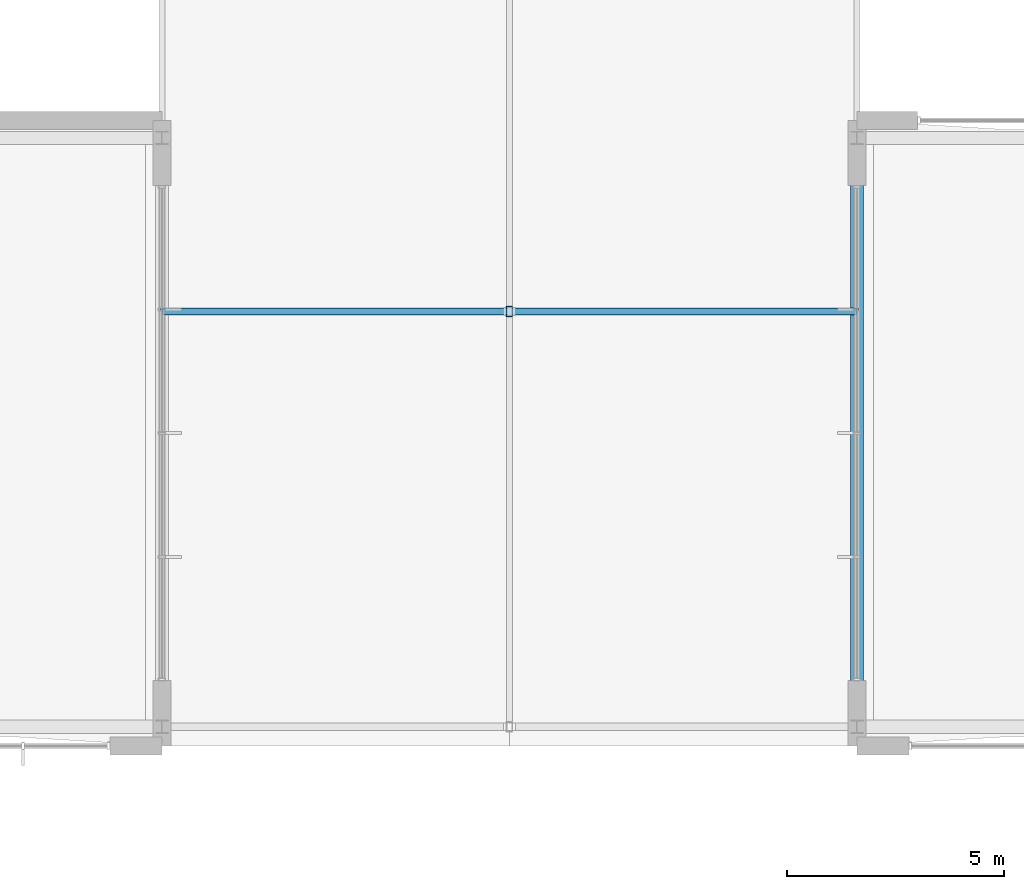
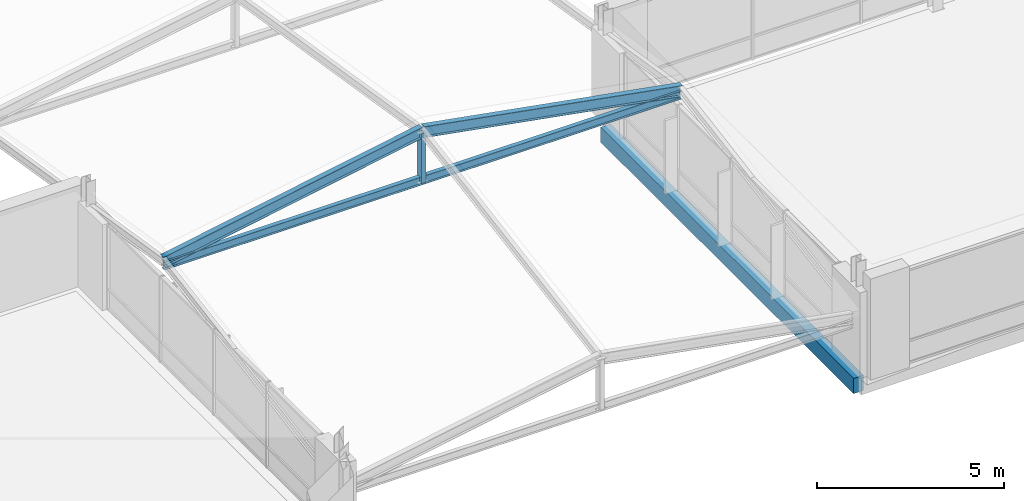
# One storey, part 44 of 189: 3 members, 2 beams.
"""IFC4 building model written with IfcOpenShell, lengths in metres."""

from ifc_helpers import new_model, si_unit, direction, frame, origin, origin_2d, place, context, subcontext, project, spatial, rectangle, hollow_rectangle, i_section, extrude, material, material_profile, profile_set, type_object, element, save


model = new_model("IFC4")

# Units and contexts
model_context = context("Model", 3, precision=1e-05, world=origin(), true_north=direction((0.0, 1.0)))
body_context = subcontext(model_context, "Body", "Model", "MODEL_VIEW")
ifc_project = project(units=[si_unit("LENGTHUNIT", "METRE"), si_unit("AREAUNIT", "SQUARE_METRE"), si_unit("VOLUMEUNIT", "CUBIC_METRE"), si_unit("PLANEANGLEUNIT", "RADIAN"), si_unit("MASSUNIT", "GRAM", prefix="KILO")], contexts=[model_context])

# Site, building, storey
site_placement = place(None, origin())
site = spatial("IfcSite", under=ifc_project, at=site_placement, CompositionType="ELEMENT")
building_placement = place(site_placement, origin())
building = spatial("IfcBuilding", under=site, at=building_placement, Name="Zavelmont Quarter", CompositionType="ELEMENT")
storey_placement = place(building_placement, frame((0.0, 0.0, 4.39990234375)))
storey = spatial("IfcBuildingStorey", under=building, at=storey_placement, Name="L01", CompositionType="ELEMENT", Elevation=4.39990234375)

# Beams
ifc_material_1 = material(Name="Concrete C35/45", Category="concrete")
ifc_material_profile_1 = material_profile(ifc_material_1, rectangle(XDim=0.300048828125, YDim=0.5, at=origin_2d()), Name="RC300X500")
ifc_profile_set_1 = profile_set([ifc_material_profile_1], Name="Concrete C35/45")
beam_type_1 = type_object("IfcBeamType", Name="BM03", PredefinedType="BEAM", material=ifc_profile_set_1)
beam_1_placement = place(storey_placement, frame((92.0, 0.43994140625, -0.52978515625), z_axis=(0.0, 1.0, 0.0), x_axis=(-1.0, 0.0, 0.0)))
element("IfcBeam", 1, at=beam_1_placement, inside=storey, type_object=beam_type_1, Name="L01 beam BM03 14/A to 14/C", PredefinedType="BEAM", context=body_context, shape_type="SweptSolid", body=[
    extrude(rectangle(XDim=0.300048828125, YDim=0.5, at=origin_2d()), origin(), (0.0, 0.0, 1.0), 13.56005859375),
])
ifc_material_2 = material(Name="Steel S355", Category="steel")
ifc_material_profile_2 = material_profile(ifc_material_2, i_section(OverallWidth=0.135009765625, OverallDepth=0.27001953125, WebThickness=0.006591796875, FlangeThickness=0.01025390625, at=origin_2d()), Name="IPE 270")
ifc_profile_set_2 = profile_set([ifc_material_profile_2], Name="Steel S355")
beam_type_2 = type_object("IfcBeamType", Name="BM14", PredefinedType="JOIST", material=ifc_profile_set_2)
beam_2_placement = place(storey_placement, frame((76.0, 10.0, 3.18505859375), z_axis=(1.0, 0.0, 0.0), x_axis=(0.0, 1.0, 0.0)))
element("IfcBeam", 2, at=beam_2_placement, inside=storey, type_object=beam_type_2, Name="L01 beam BM14 12/C to 14/C", PredefinedType="JOIST", context=body_context, shape_type="SweptSolid", body=[
    extrude(i_section(OverallWidth=0.135009765625, OverallDepth=0.27001953125, WebThickness=0.006591796875, FlangeThickness=0.01025390625, at=origin_2d()), origin(), (0.0, 0.0, 1.0), 16.0),
])

# Members
ifc_material_profile_3 = material_profile(ifc_material_2, hollow_rectangle(XDim=0.139892578125, YDim=0.239990234375, WallThickness=0.010009765625, at=origin_2d()), Name="RHS 240X140X10")
ifc_profile_set_3 = profile_set([ifc_material_profile_3], Name="Steel S355")
member_type_1 = type_object("IfcMemberType", Name="CLM1", PredefinedType="CHORD", material=ifc_profile_set_3)
member_placement = place(storey_placement, frame((84.0, 10.0, 3.14013671875), z_axis=(0.0, 0.0, 1.0), x_axis=(1.0, 0.0, 0.0)))
element("IfcMember", 3, at=member_placement, inside=storey, type_object=member_type_1, Name="L01 member CLM1 13/C to 13/C", PredefinedType="CHORD", context=body_context, shape_type="SweptSolid", body=[
    extrude(hollow_rectangle(XDim=0.139892578125, YDim=0.239990234375, WallThickness=0.010009765625, at=origin_2d()), origin(), (0.0, 0.0, 1.0), 1.6298828125),
])
ifc_material_profile_4 = material_profile(ifc_material_2, i_section(OverallWidth=0.169921875, OverallDepth=0.360107421875, WebThickness=0.008056640625, FlangeThickness=0.0126953125, at=origin_2d()), Name="IPE 360")
ifc_profile_set_4 = profile_set([ifc_material_profile_4], Name="Steel S355")
member_type_2 = type_object("IfcMemberType", Name="RFM2", PredefinedType="RAFTER", material=ifc_profile_set_4)
for number, where, z_axis, x_axis, name in (
    (4, (76.0, 10.0, 3.320068359375), (0.983969211964, 0.0, 0.178338413997), (0.0, 1.0, 0.0), "L01 member RFM2 12/C to 13/C"),
    (5, (84.0, 10.0, 4.77001953125), (0.983969211964, 0.0, -0.178338413997), (0.0, 1.0, 0.0), "L01 member RFM2 13/C to 14/C"),
):
    element("IfcMember", number, at=place(storey_placement, frame(where, z_axis=z_axis, x_axis=x_axis)), inside=storey, type_object=member_type_2, Name=name, PredefinedType="RAFTER", context=body_context, shape_type="SweptSolid", body=[
        extrude(i_section(OverallWidth=0.169921875, OverallDepth=0.360107421875, WebThickness=0.008056640625, FlangeThickness=0.0126953125, at=origin_2d()), origin(), (0.0, 0.0, 1.0), 8.13037109375),
    ])

save(model, "model.ifc")
